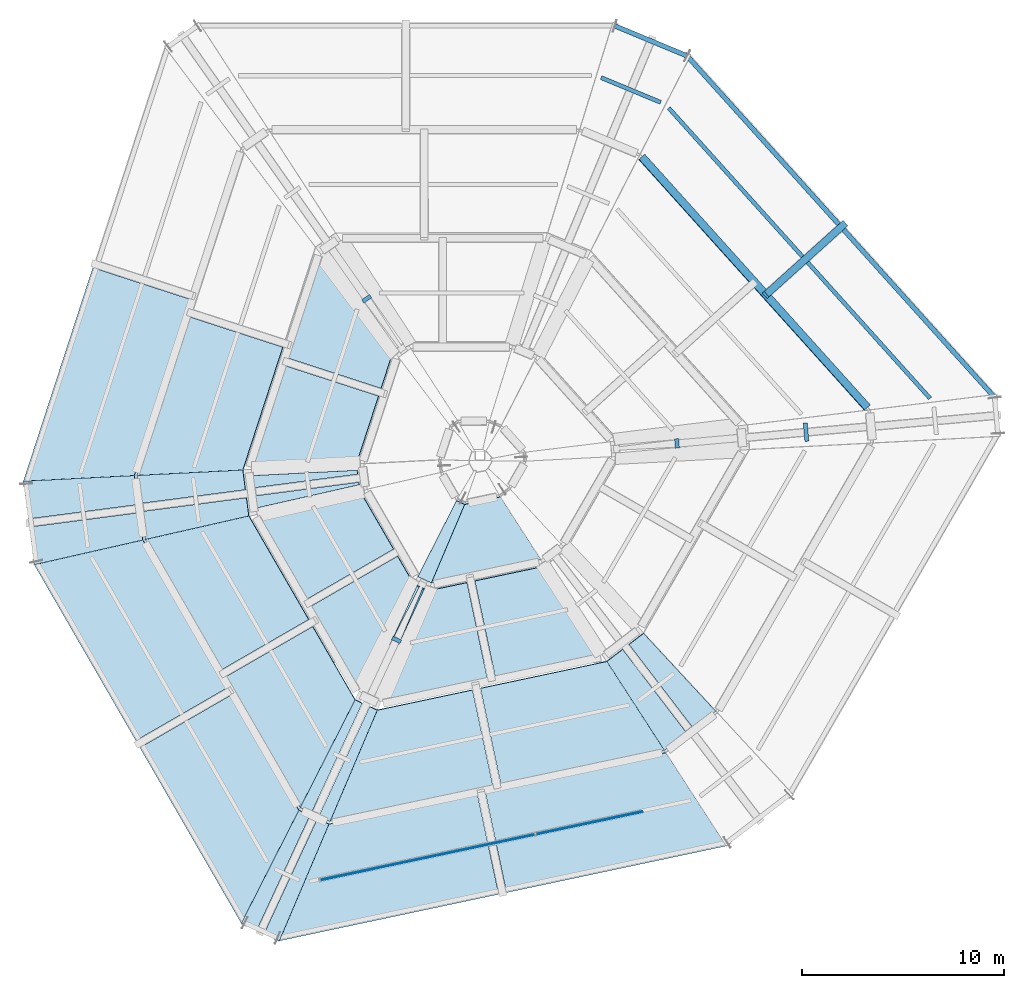
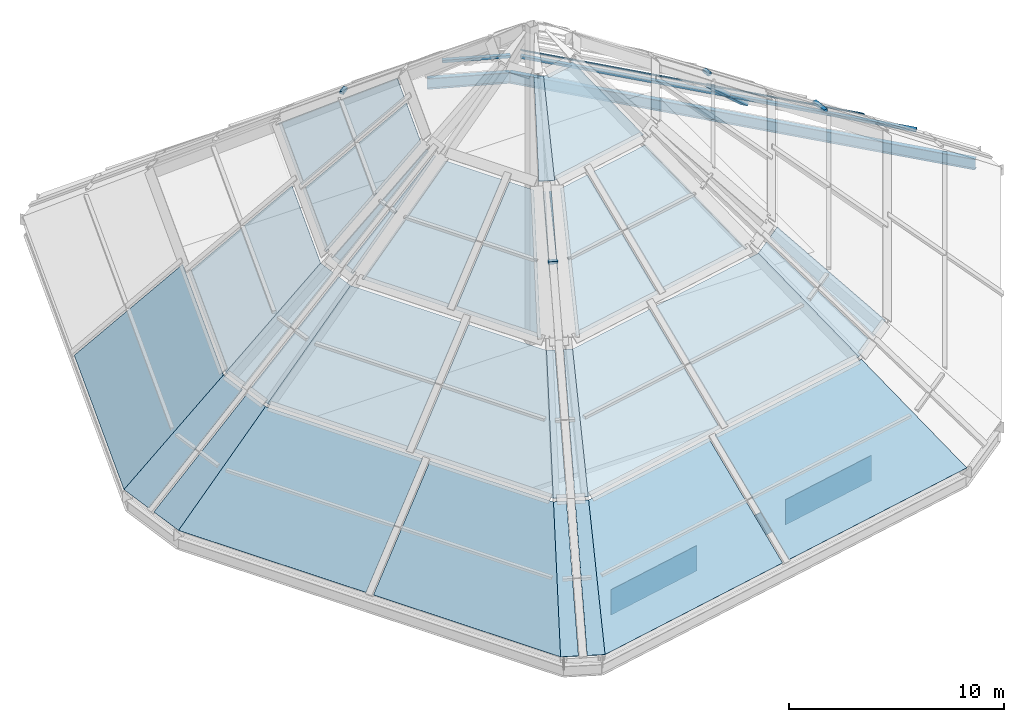
# One storey, part 4 of 10: 35 plates, 8 members, 2 beams, 11 elements without a shape of their own.
"""IFC4 building model written with IfcOpenShell, lengths in metres."""

from ifc_helpers import new_model, si_unit, direction, frame, origin, origin_2d, place, context, subcontext, project, spatial, polyline, rectangle, i_section, outline, extrude, material, layer, layer_set, material_profile, profile_set, type_object, element, aggregate, save


model = new_model("IFC4")

# Units and contexts
model_context = context("Model", 3, precision=1e-05, world=origin(), true_north=direction((0.0, 1.0)))
body_context = subcontext(model_context, "Body", "Model", "MODEL_VIEW")
ifc_project = project(units=[si_unit("LENGTHUNIT", "METRE"), si_unit("AREAUNIT", "SQUARE_METRE"), si_unit("VOLUMEUNIT", "CUBIC_METRE"), si_unit("PLANEANGLEUNIT", "RADIAN"), si_unit("MASSUNIT", "GRAM", prefix="KILO")], contexts=[model_context])

# Site, building, storey
site_placement = place(None, origin())
site = spatial("IfcSite", under=ifc_project, at=site_placement, CompositionType="ELEMENT")
building_placement = place(site_placement, origin())
building = spatial("IfcBuilding", under=site, at=building_placement, Name="Isthmus Gate Tower", CompositionType="ELEMENT")
storey_placement = place(building_placement, frame((0.0, 0.0, 315.60009765625)))
storey = spatial("IfcBuildingStorey", under=building, at=storey_placement, Name="C4", CompositionType="ELEMENT", Elevation=315.60009765625)

# Beams
ifc_material_1 = material(Name="Structural steel ASTM A992 Gr 50", Category="steel")
ifc_material_profile_1 = material_profile(ifc_material_1, i_section(OverallWidth=0.231689453125, OverallDepth=0.615966796875, WebThickness=0.0126953125, FlangeThickness=0.022216796875, at=origin_2d()), Name="W24X94")
ifc_profile_set_1 = profile_set([ifc_material_profile_1], Name="Structural steel ASTM A992 Gr 50")
beam_type = type_object("IfcBeamType", Name="CROWN RING BEAM W24X94", PredefinedType="BEAM", material=ifc_profile_set_1)
beam_1_placement = place(storey_placement, frame((25.445068359375, 3.120361328125, -0.55810546875), z_axis=(-0.669127890755, 0.743147270609, 0.0), x_axis=(-0.743147270609, -0.669127890755, 0.0)))
element("IfcBeam", 1, at=beam_1_placement, inside=storey, type_object=beam_type, Name="str-crownring-C4-10", PredefinedType="BEAM", context=body_context, shape_type="SweptSolid", body=[
    extrude(i_section(OverallWidth=0.231689453125, OverallDepth=0.615966796875, WebThickness=0.0126953125, FlangeThickness=0.022216796875, at=origin_2d()), origin(), (0.0, 0.0, 1.0), 22.732177734375),
])
beam_2_placement = place(storey_placement, frame((10.234375, 20.013671875, -0.55810546875), z_axis=(-0.923354696389, 0.383948049424, 0.0), x_axis=(-0.383948049424, -0.923354696389, 0.0)))
element("IfcBeam", 2, at=beam_2_placement, inside=storey, type_object=beam_type, Name="str-crownring-C4-11", PredefinedType="BEAM", context=body_context, shape_type="SweptSolid", body=[
    extrude(i_section(OverallWidth=0.231689453125, OverallDepth=0.615966796875, WebThickness=0.0126953125, FlangeThickness=0.022216796875, at=origin_2d()), origin(), (0.0, 0.0, 1.0), 3.87109375),
])

# Curtain wall, members
ifc_material_2 = material(Name="Aluminium, white powder-coated", Category="aluminium")
ifc_layer_1 = layer(ifc_material_2, 0.199951171875)
ifc_layer_set_1 = layer_set([ifc_layer_1], Name="CW-5 CROWN FACET CURTAIN WALL 200 DEEP")
curtain_wall_type_1 = type_object("IfcCurtainWallType", Name="CW-5 CROWN FACET CURTAIN WALL 200 DEEP", PredefinedType="NOTDEFINED", material=ifc_layer_set_1)
curtain_wall_1_placement = place(storey_placement, origin())
curtain_wall_1 = element("IfcCurtainWall", 3, at=curtain_wall_1_placement, inside=storey, type_object=curtain_wall_type_1, Name="CW-5 facet 11", PredefinedType="NOTDEFINED")
ifc_material_3 = material(Name="Aluminium, white powder-coated", Category="aluminium")
ifc_material_profile_2 = material_profile(ifc_material_3, rectangle(XDim=0.360107421875, YDim=0.199951171875, at=origin_2d()), Name="360x200")
ifc_profile_set_2 = profile_set([ifc_material_profile_2], Name="Aluminium, white powder-coated")
member_type_1 = type_object("IfcMemberType", Name="CW-5 RIB MULLION 360 X 200", PredefinedType="MULLION", material=ifc_profile_set_2)
member_1_placement = place(storey_placement, frame((18.01904296875, 11.703369140625, 0.240234375), z_axis=(-0.564309116031, -0.507885266236, 0.650851579014), x_axis=(0.668969870603, -0.743289521133, 0.0)))
member_1 = element("IfcMember", 4, at=member_1_placement, type_object=member_type_1, Name="CW-5 rib mullion", PredefinedType="MULLION", context=body_context, shape_type="SweptSolid", body=[
    extrude(rectangle(XDim=0.360107421875, YDim=0.199951171875, at=origin_2d()), origin(), (0.0, 0.0, 1.0), 6.914306640625),
])
ifc_material_4 = material(Name="Aluminium, white powder-coated", Category="aluminium")
ifc_material_profile_3 = material_profile(ifc_material_4, rectangle(XDim=0.5, YDim=0.0400390625, at=origin_2d()), Name="500x40")
ifc_profile_set_3 = profile_set([ifc_material_profile_3], Name="Aluminium, white powder-coated")
member_type_2 = type_object("IfcMemberType", Name="CW-5 STAGE CAP 500 X 40", PredefinedType="USERDEFINED", material=ifc_profile_set_3)
member_2_placement = place(storey_placement, frame((19.144287109375, 2.624755859375, 4.75732421875), z_axis=(-0.668936395453, 0.743319615361, -0.000219678736), x_axis=(-0.564436338109, -0.507761434563, 0.650837879807)))
member_2 = element("IfcMember", 5, at=member_2_placement, type_object=member_type_2, Name="CW-5 stage cap", ObjectType="CAP BAR", PredefinedType="USERDEFINED", context=body_context, shape_type="SweptSolid", body=[
    extrude(rectangle(XDim=0.5, YDim=0.0400390625, at=origin_2d()), origin(), (0.0, 0.0, 1.0), 16.67041015625),
])

# Curtain wall, member
curtain_wall_2_placement = place(storey_placement, origin())
curtain_wall_2 = element("IfcCurtainWall", 6, at=curtain_wall_2_placement, inside=storey, type_object=curtain_wall_type_1, Name="CW-5 facet 2", PredefinedType="NOTDEFINED")
ifc_material_5 = material(Name="Aluminium, white powder-coated", Category="aluminium")
ifc_material_profile_4 = material_profile(ifc_material_5, rectangle(XDim=0.199951171875, YDim=0.14990234375, at=origin_2d()), Name="200x150")
ifc_profile_set_4 = profile_set([ifc_material_profile_4], Name="Aluminium, white powder-coated")
member_type_3 = type_object("IfcMemberType", Name="CW-5 TRANSOM 200 X 150", PredefinedType="USERDEFINED", material=ifc_profile_set_4)
placement_1 = place(building_placement, frame((0.0, 0.0, 324.60009765625)))
member_3_placement = place(placement_1, frame((-5.41650390625, 8.138916015625, 2.492431640625), z_axis=(-0.818171592601, -0.574973886664, -0.000524132987), x_axis=(0.574973965641, -0.818171704983, 0.0)))
member_3 = element("IfcMember", 7, at=member_3_placement, type_object=member_type_3, Name="CW-5 transom", ObjectType="TRANSOM", PredefinedType="USERDEFINED", context=body_context, shape_type="SweptSolid", body=[
    extrude(rectangle(XDim=0.199951171875, YDim=0.14990234375, at=origin_2d()), origin(), (0.0, 0.0, 1.0), 0.4658203125),
])
aggregate(curtain_wall_2, [member_3])

curtain_wall_3_placement = place(storey_placement, origin())
curtain_wall_3 = element("IfcCurtainWall", 8, at=curtain_wall_3_placement, inside=storey, type_object=curtain_wall_type_1, Name="CW-5 facet 6", PredefinedType="NOTDEFINED")
member_4_placement = place(placement_1, frame((-4.34033203125, -8.76025390625, 2.492431640625), z_axis=(0.906944508145, -0.421249788878, -0.000523942523), x_axis=(0.421249846698, 0.90694463263, 0.0)))
member_4 = element("IfcMember", 9, at=member_4_placement, type_object=member_type_3, Name="CW-5 transom", ObjectType="TRANSOM", PredefinedType="USERDEFINED", context=body_context, shape_type="SweptSolid", body=[
    extrude(rectangle(XDim=0.199951171875, YDim=0.14990234375, at=origin_2d()), origin(), (0.0, 0.0, 1.0), 0.466064453125),
])

# Curtain wall, members
curtain_wall_4_placement = place(storey_placement, origin())
curtain_wall_4 = element("IfcCurtainWall", 10, at=curtain_wall_4_placement, inside=storey, type_object=curtain_wall_type_1, Name="CW-5 facet 10", PredefinedType="NOTDEFINED")
placement_2 = place(building_placement, frame((0.0, 0.0, 320.10009765625)))
member_5_placement = place(placement_2, frame((16.15771484375, 0.95849609375, 2.492431640625), z_axis=(-0.089012681459, 0.996030456691, -0.000268110486), x_axis=(-0.99603049249, -0.089012684659, 0.0)))
member_5 = element("IfcMember", 11, at=member_5_placement, type_object=member_type_3, Name="CW-5 transom", ObjectType="TRANSOM", PredefinedType="USERDEFINED", context=body_context, shape_type="SweptSolid", body=[
    extrude(rectangle(XDim=0.199951171875, YDim=0.14990234375, at=origin_2d()), origin(), (0.0, 0.0, 1.0), 0.91064453125),
])
member_6_placement = place(placement_1, frame((9.7568359375, 0.621337890625, 2.492431640625), z_axis=(-0.089071158151, 0.996025127326, -0.000523947989), x_axis=(-0.996025264041, -0.089071170377, 0.0)))
member_6 = element("IfcMember", 12, at=member_6_placement, type_object=member_type_3, Name="CW-5 transom", ObjectType="TRANSOM", PredefinedType="USERDEFINED", context=body_context, shape_type="SweptSolid", body=[
    extrude(rectangle(XDim=0.199951171875, YDim=0.14990234375, at=origin_2d()), origin(), (0.0, 0.0, 1.0), 0.466064453125),
])
aggregate(curtain_wall_4, [member_5, member_6])

# Member
member_7_placement = place(storey_placement, frame((22.248291015625, 3.08056640625, 2.4921875), z_axis=(-0.668967511811, 0.743291616544, -0.000202276863), x_axis=(-0.74329163175, -0.668967525497, 0.0)))
member_7 = element("IfcMember", 13, at=member_7_placement, type_object=member_type_3, Name="CW-5 transom", ObjectType="TRANSOM", PredefinedType="USERDEFINED", context=body_context, shape_type="SweptSolid", body=[
    extrude(rectangle(XDim=0.199951171875, YDim=0.14990234375, at=origin_2d()), origin(), (0.0, 0.0, 1.0), 19.3115234375),
])

aggregate(curtain_wall_1, [member_2, member_1, member_7])

# Curtain wall, member
curtain_wall_5_placement = place(storey_placement, origin())
curtain_wall_5 = element("IfcCurtainWall", 14, at=curtain_wall_5_placement, inside=storey, type_object=curtain_wall_type_1, Name="CW-5 facet 12", PredefinedType="NOTDEFINED")
member_8_placement = place(storey_placement, frame((8.931396484375, 17.71630859375, 2.48828125), z_axis=(-0.923519973624, 0.383550058651, 0.000459158091), x_axis=(-0.383550099082, -0.923520070975, 0.0)))
member_8 = element("IfcMember", 15, at=member_8_placement, type_object=member_type_3, Name="CW-5 transom", ObjectType="TRANSOM", PredefinedType="USERDEFINED", context=body_context, shape_type="SweptSolid", body=[
    extrude(rectangle(XDim=0.199951171875, YDim=0.14990234375, at=origin_2d()), origin(), (0.0, 0.0, 1.0), 3.190185546875),
])
aggregate(curtain_wall_5, [member_8])

# Curtain wall, plates
ifc_material_6 = material(Name="Aluminium, pale champagne anodised", Category="aluminium")
ifc_layer_2 = layer(ifc_material_6, 0.199951171875)
ifc_layer_set_2 = layer_set([ifc_layer_2], Name="CW-4 ATRIUM CURTAIN WALL 200 DEEP")
curtain_wall_type_2 = type_object("IfcCurtainWallType", Name="CW-4 ATRIUM CURTAIN WALL 200 DEEP", PredefinedType="NOTDEFINED", material=ifc_layer_set_2)
curtain_wall_6_placement = place(storey_placement, origin())
curtain_wall_6 = element("IfcCurtainWall", 16, at=curtain_wall_6_placement, inside=storey, type_object=curtain_wall_type_2, Name="CW-4 atrium south C4", PredefinedType="NOTDEFINED")
ifc_material_7 = material(Name="Laminated low-iron glass, clear", Category="glass")
ifc_layer_3 = layer(ifc_material_7, 0.0439453125)
ifc_layer_set_3 = layer_set([ifc_layer_3], Name="CW-4 ATRIUM GLASS PANEL 44")
plate_type_1 = type_object("IfcPlateType", Name="CW-4 ATRIUM GLASS PANEL 44", PredefinedType="CURTAIN_PANEL", material=ifc_layer_set_3)
plate_1_placement = place(storey_placement, frame((-5.262939453125, -20.1826171875, -0.000244140625), z_axis=(0.0, 0.0, 1.0), x_axis=(0.978147600734, 0.207911690818, 0.0)))
plate_1 = element("IfcPlate", 17, at=plate_1_placement, type_object=plate_type_1, Name="CW-4 louvre panel", PredefinedType="CURTAIN_PANEL", context=body_context, shape_type="SweptSolid", body=[
    extrude(rectangle(XDim=5.37255859375, YDim=0.0439453125, at=origin_2d()), origin(), (0.0, 0.0, 1.0), 1.43603515625),
])
plate_2_placement = place(storey_placement, frame((0.03125, -19.057373046875, -0.000244140625), z_axis=(0.0, 0.0, 1.0), x_axis=(0.978147600734, 0.207911690818, 0.0)))
plate_2 = element("IfcPlate", 18, at=plate_2_placement, type_object=plate_type_1, Name="CW-4 louvre panel", PredefinedType="CURTAIN_PANEL", context=body_context, shape_type="SweptSolid", body=[
    extrude(rectangle(XDim=5.452392578125, YDim=0.0439453125, at=origin_2d()), origin(), (0.0, 0.0, 1.0), 1.43603515625),
])
plate_3_placement = place(storey_placement, frame((5.403564453125, -17.91552734375, -0.000244140625), z_axis=(0.0, 0.0, 1.0), x_axis=(0.978147600734, 0.207911690818, 0.0)))
plate_3 = element("IfcPlate", 19, at=plate_3_placement, type_object=plate_type_1, Name="CW-4 louvre panel", PredefinedType="CURTAIN_PANEL", context=body_context, shape_type="SweptSolid", body=[
    extrude(rectangle(XDim=5.37255859375, YDim=0.0439453125, at=origin_2d()), origin(), (0.0, 0.0, 1.0), 1.43603515625),
])
aggregate(curtain_wall_6, [plate_1, plate_2, plate_3])

curtain_wall_7_placement = place(storey_placement, origin())
curtain_wall_7 = element("IfcCurtainWall", 20, at=curtain_wall_7_placement, inside=storey, type_object=curtain_wall_type_1, Name="CW-5 facet 3", PredefinedType="NOTDEFINED")
ifc_material_8 = material(Name="Laminated glass, pale blue tint with white frit", Category="glass")
ifc_layer_4 = layer(ifc_material_8, 0.035888671875)
ifc_layer_set_4 = layer_set([ifc_layer_4], Name="CW-5 GLASS LITE 36")
plate_type_2 = type_object("IfcPlateType", Name="CW-5 GLASS LITE 36", PredefinedType="CURTAIN_PANEL", material=ifc_layer_set_4)
plate_4_placement = place(storey_placement, frame((-19.1513671875, 9.544921875, 0.290283203125), z_axis=(-0.618993083089, 0.201119579567, 0.759209113356), x_axis=(-0.3091998909, -0.950997055114, -0.000169210119)))
plate_4 = element("IfcPlate", 21, at=plate_4_placement, type_object=plate_type_2, Name="CW-5 glass lite", PredefinedType="CURTAIN_PANEL", context=body_context, shape_type="SweptSolid", body=[
    extrude(outline(polyline([(0.0, 0.0), (11.1041762796156, 5.345116710353537e-16), (9.14083954869562, 6.76002465053957), (-0.000673934898059152, 6.760762880263261), (0.0, 0.0)])), origin(), (0.0, 0.0, -1.0), 0.035888671875),
])
plate_5_placement = place(placement_2, frame((-14.4169921875, 7.12841796875, 0.290283203125), z_axis=(-0.618980678178, 0.201107964778, 0.759222303772), x_axis=(-0.309267279906, -0.950975127036, -0.000239453321)))
plate_5 = element("IfcPlate", 22, at=plate_5_placement, type_object=plate_type_2, Name="CW-5 glass lite", PredefinedType="CURTAIN_PANEL", context=body_context, shape_type="SweptSolid", body=[
    extrude(outline(polyline([(0.0, 0.0), (8.262753173355721, 1.6675029412827058e-16), (6.387954861098319, 6.452559044034228), (-0.0009235787201528661, 6.45354548818613), (0.0, 0.0)])), origin(), (0.0, 0.0, -1.0), 0.035888671875),
])
plate_6_placement = place(placement_1, frame((-7.980224609375, 9.944580078125, 0.2919921875), z_axis=(-0.618966498824, 0.201129650908, 0.759228119118), x_axis=(-0.309413340945, -0.950927584034, -0.000338184679)))
plate_6 = element("IfcPlate", 23, at=plate_6_placement, type_object=plate_type_2, Name="CW-5 glass lite", PredefinedType="CURTAIN_PANEL", context=body_context, shape_type="SweptSolid", body=[
    extrude(outline(polyline([(0.0, 0.0), (5.102701214808597, -1.0018028073766061e-16), (5.10123119629622, 6.454052563971716), (3.4283358291746637, 6.455033296146816), (0.0, 0.0)])), origin(), (0.0, 0.0, -1.0), 0.035888671875),
])
plate_7_placement = place(placement_1, frame((-9.6826171875, 4.7119140625, 0.290283203125), z_axis=(-0.618990876283, 0.201123112897, 0.759209976579), x_axis=(-0.309432776674, -0.950921246456, -0.000373841738)))
plate_7 = element("IfcPlate", 24, at=plate_7_placement, type_object=plate_type_2, Name="CW-5 glass lite", PredefinedType="CURTAIN_PANEL", context=body_context, shape_type="SweptSolid", body=[
    extrude(outline(polyline([(0.0, 0.0), (5.121461955184789, -9.69276742202041e-17), (3.24524658605583, 6.452306070901811), (-0.001644421247286315, 6.453876260384665), (0.0, 0.0)])), origin(), (0.0, 0.0, -1.0), 0.035888671875),
])
aggregate(curtain_wall_7, [plate_4, plate_5, plate_6, plate_7])

curtain_wall_8_placement = place(storey_placement, origin())
curtain_wall_8 = element("IfcCurtainWall", 25, at=curtain_wall_8_placement, inside=storey, type_object=curtain_wall_type_1, Name="CW-5 facet 4", PredefinedType="NOTDEFINED")
plate_8_placement = place(storey_placement, frame((-22.584716796875, -1.01513671875, 0.288330078125), z_axis=(-0.620991855517, -0.080916354709, 0.779629180394), x_axis=(0.129618251948, -0.991563915806, 0.000331107743)))
plate_8 = element("IfcPlate", 26, at=plate_8_placement, type_object=plate_type_2, Name="CW-5 glass lite", PredefinedType="CURTAIN_PANEL", context=body_context, shape_type="SweptSolid", body=[
    extrude(outline(polyline([(0.0, 0.0), (1.8823231844141384, -2.710505431213761e-18), (1.884090222948141, 7.026062574687231), (0.4355606250708594, 7.025874417231663), (0.0, 0.0)])), origin(), (0.0, 0.0, -1.0), 0.035888671875),
])
plate_9_placement = place(storey_placement, frame((-22.2890625, -3.278076171875, 0.2890625), z_axis=(-0.620995958108, -0.080857565733, 0.779632011963), x_axis=(0.12948198433, -0.991581730377, 0.000296170462)))
plate_9 = element("IfcPlate", 27, at=plate_9_placement, type_object=plate_type_2, Name="CW-5 glass lite", PredefinedType="CURTAIN_PANEL", context=body_context, shape_type="SweptSolid", body=[
    extrude(outline(polyline([(0.0, 0.0), (1.8813231480740464, -5.095750210681871e-18), (1.3698372542074795, 7.026450249111178), (0.0011026032592730117, 7.026038054274042), (0.0, 0.0)])), origin(), (0.0, 0.0, -1.0), 0.035888671875),
])
plate_10_placement = place(placement_2, frame((-16.972412109375, -0.729248046875, 0.288330078125), z_axis=(-0.620997209202, -0.080784022639, 0.779638639274), x_axis=(0.129695905101, -0.991553657142, 0.000563212242)))
plate_10 = element("IfcPlate", 28, at=plate_10_placement, type_object=plate_type_2, Name="CW-5 glass lite", PredefinedType="CURTAIN_PANEL", context=body_context, shape_type="SweptSolid", body=[
    extrude(outline(polyline([(0.0, 0.0), (1.398290763192658, 2.3960868011929648e-17), (1.4008216897131762, 6.706639070984327), (0.41715725897892325, 6.706442182394191), (0.0, 0.0)])), origin(), (0.0, 0.0, -1.0), 0.035888671875),
])
plate_11_placement = place(placement_2, frame((-16.7392578125, -2.512451171875, 0.2890625), z_axis=(-0.621003429372, -0.080806218669, 0.779631384523), x_axis=(0.129574898638, -0.991569540581, 0.000437990696)))
plate_11 = element("IfcPlate", 29, at=plate_11_placement, type_object=plate_type_2, Name="CW-5 glass lite", PredefinedType="CURTAIN_PANEL", context=body_context, shape_type="SweptSolid", body=[
    extrude(outline(polyline([(0.0, 0.0), (1.3972906722571656, 2.970713952610282e-17), (0.9102044498115646, 6.7071645162450775), (0.0013985014968639865, 6.7068281360214135), (0.0, 0.0)])), origin(), (0.0, 0.0, -1.0), 0.035888671875),
])
plate_12_placement = place(placement_1, frame((-11.321044921875, -0.740966796875, 0.28857421875), z_axis=(-0.620989250317, -0.080888151215, 0.779634182155), x_axis=(0.130027663268, -0.991510120607, 0.000698225628)))
plate_12 = element("IfcPlate", 30, at=plate_12_placement, type_object=plate_type_2, Name="CW-5 glass lite", PredefinedType="CURTAIN_PANEL", context=body_context, shape_type="SweptSolid", body=[
    extrude(outline(polyline([(0.0, 0.0), (0.6143403792124675, 1.1384122811097797e-18), (0.6179775562412325, 6.706762073854463), (0.41944202369889544, 6.706108977459557), (0.0, 0.0)])), origin(), (0.0, 0.0, -1.0), 0.035888671875),
])
plate_13_placement = place(placement_1, frame((-11.189453125, -1.74658203125, 0.2890625), z_axis=(-0.620988345802, -0.080850093086, 0.779638850254), x_axis=(0.130098234446, -0.991500783429, 0.000803650005)))
plate_13 = element("IfcPlate", 31, at=plate_13_placement, type_object=plate_type_2, Name="CW-5 glass lite", PredefinedType="CURTAIN_PANEL", context=body_context, shape_type="SweptSolid", body=[
    extrude(outline(polyline([(0.0, 0.0), (0.6136141802415529, -2.9815559743351372e-18), (0.13058176387520762, 6.707347116705357), (0.00469424292571973, 6.706736697794758), (0.0, 0.0)])), origin(), (0.0, 0.0, -1.0), 0.035888671875),
])
aggregate(curtain_wall_8, [plate_8, plate_9, plate_10, plate_11, plate_12, plate_13])

curtain_wall_9_placement = place(storey_placement, origin())
curtain_wall_9 = element("IfcCurtainWall", 32, at=curtain_wall_9_placement, inside=storey, type_object=curtain_wall_type_1, Name="CW-5 facet 5", PredefinedType="NOTDEFINED")
plate_14_placement = place(storey_placement, frame((-22.04541015625, -5.1435546875, 0.28955078125), z_axis=(-0.55594125905, -0.320958894655, 0.766755961456), x_axis=(0.500127229324, -0.865951924322, 0.000138752232)))
plate_14 = element("IfcPlate", 33, at=plate_14_placement, type_object=plate_type_2, Name="CW-5 glass lite", PredefinedType="CURTAIN_PANEL", context=body_context, shape_type="SweptSolid", body=[
    extrude(outline(polyline([(0.0, 0.0), (10.046374532051281, -6.554002132674874e-16), (10.046903870763169, 6.854575670788057), (1.6294991825719582, 6.854002723673368), (0.0, 0.0)])), origin(), (0.0, 0.0, -1.0), 0.035888671875),
])
plate_15_placement = place(storey_placement, frame((-16.82080078125, -14.189453125, 0.291015625), z_axis=(-0.555944826598, -0.32096623015, 0.766750304129), x_axis=(0.500136149334, -0.865946772111, 0.000141420044)))
plate_15 = element("IfcPlate", 34, at=plate_15_placement, type_object=plate_type_2, Name="CW-5 glass lite", PredefinedType="CURTAIN_PANEL", context=body_context, shape_type="SweptSolid", body=[
    extrude(outline(polyline([(0.0, 0.0), (10.02614656482134, -1.4406878467987383e-15), (6.612874181233284, 6.854837971209336), (0.0006845275031220037, 6.854319932436212), (0.0, 0.0)])), origin(), (0.0, 0.0, -1.0), 0.035888671875),
])
plate_16_placement = place(placement_2, frame((-16.55810546875, -3.89794921875, 0.28955078125), z_axis=(-0.555937612945, -0.320979108959, 0.766750143218), x_axis=(0.500198958372, -0.865910485322, 0.000182900387)))
plate_16 = element("IfcPlate", 35, at=plate_16_placement, type_object=plate_type_2, Name="CW-5 glass lite", PredefinedType="CURTAIN_PANEL", context=body_context, shape_type="SweptSolid", body=[
    extrude(outline(polyline([(0.0, 0.0), (7.467875045220791, -1.5547459153442134e-16), (7.468605759307535, 6.543068426767505), (1.5560841177646316, 6.542316949142448), (0.0, 0.0)])), origin(), (0.0, 0.0, -1.0), 0.035888671875),
])
plate_17_placement = place(placement_2, frame((-12.622802734375, -10.710693359375, 0.291015625), z_axis=(-0.55593712728, -0.320957055356, 0.766759727117), x_axis=(0.500182785035, -0.86591982582, 0.000191850396)))
plate_17 = element("IfcPlate", 36, at=plate_17_placement, type_object=plate_type_2, Name="CW-5 glass lite", PredefinedType="CURTAIN_PANEL", context=body_context, shape_type="SweptSolid", body=[
    extrude(outline(polyline([(0.0, 0.0), (7.447524971728625, 5.668208957754217e-16), (4.18977148919219, 6.543680605945598), (0.0008860110736268031, 6.542974775135384), (0.0, 0.0)])), origin(), (0.0, 0.0, -1.0), 0.035888671875),
])
plate_18_placement = place(placement_1, frame((-10.920654296875, -2.912353515625, 0.289794921875), z_axis=(-0.555920534509, -0.320983363628, 0.766760744682), x_axis=(0.500303027309, -0.865850338837, 0.000267583077)))
plate_18 = element("IfcPlate", 37, at=plate_18_placement, type_object=plate_type_2, Name="CW-5 glass lite", PredefinedType="CURTAIN_PANEL", context=body_context, shape_type="SweptSolid", body=[
    extrude(outline(polyline([(0.0, 0.0), (4.589005193190192, 1.684850176042474e-16), (4.590271917116344, 6.5434123561411965), (1.556831256110969, 6.542025840607932), (0.0, 0.0)])), origin(), (0.0, 0.0, -1.0), 0.035888671875),
])
plate_19_placement = place(placement_1, frame((-8.4248046875, -7.23193359375, 0.291015625), z_axis=(-0.555951869231, -0.320959152597, 0.766748160391), x_axis=(0.500273810091, -0.865867214125, 0.000287124968)))
plate_19 = element("IfcPlate", 38, at=plate_19_placement, type_object=plate_type_2, Name="CW-5 glass lite", PredefinedType="CURTAIN_PANEL", context=body_context, shape_type="SweptSolid", body=[
    extrude(outline(polyline([(0.0, 0.0), (4.568655106484701, 3.421742056364252e-16), (1.312040843432865, 6.544205441362321), (0.0011795247618025416, 6.543412371369644), (0.0, 0.0)])), origin(), (0.0, 0.0, -1.0), 0.035888671875),
])
aggregate(curtain_wall_9, [plate_14, plate_15, plate_16, plate_17, plate_18, plate_19])

# Plate
plate_20_placement = place(storey_placement, frame((-11.806396484375, -22.87158203125, 0.29248046875), z_axis=(-0.241579587642, -0.521618943561, 0.818262171039), x_axis=(0.90723215912, -0.420630150506, -0.00029316257)))
plate_20 = element("IfcPlate", 39, at=plate_20_placement, type_object=plate_type_2, Name="CW-5 glass lite", PredefinedType="CURTAIN_PANEL", context=body_context, shape_type="SweptSolid", body=[
    extrude(outline(polyline([(0.0, 0.0), (0.8363783912562912, 2.5885326868091418e-17), (0.83600624456215, 7.654067143558267), (0.22967009833704177, 7.654180793904411), (0.0, 0.0)])), origin(), (0.0, 0.0, -1.0), 0.035888671875),
])

plate_21_placement = place(storey_placement, frame((-10.684814453125, -23.391845703125, 0.292236328125), z_axis=(-0.241743367849, -0.521537662569, 0.818265611292), x_axis=(0.907147999567, -0.42081167122, -0.000210350814)))
plate_21 = element("IfcPlate", 40, at=plate_21_placement, type_object=plate_type_2, Name="CW-5 glass lite", PredefinedType="CURTAIN_PANEL", context=body_context, shape_type="SweptSolid", body=[
    extrude(outline(polyline([(0.0, 0.0), (0.8367025807867213, 7.806255641895632e-18), (0.6305327035151013, 7.654360951652844), (-0.0013636375348996823, 7.654248258865292), (0.0, 0.0)])), origin(), (0.0, 0.0, -1.0), 0.035888671875),
])

plate_22_placement = place(placement_2, frame((-8.897705078125, -17.15966796875, 0.29248046875), z_axis=(-0.241633215505, -0.521584930727, 0.818268017952), x_axis=(0.907152058713, -0.420802827835, -0.00034994024)))
plate_22 = element("IfcPlate", 41, at=plate_22_placement, type_object=plate_type_2, Name="CW-5 glass lite", PredefinedType="CURTAIN_PANEL", context=body_context, shape_type="SweptSolid", body=[
    extrude(outline(polyline([(0.0, 0.0), (0.6138729462194471, 1.3173056395698879e-17), (0.6125223421085155, 7.306285007736427), (0.21788074206709293, 7.306520485755684), (0.0, 0.0)])), origin(), (0.0, 0.0, -1.0), 0.035888671875),
])

plate_23_placement = place(placement_2, frame((-7.977783203125, -17.586181640625, 0.292236328125), z_axis=(-0.241737137036, -0.521552613893, 0.818257922369), x_axis=(0.907071516513, -0.420976412213, -0.000352549826)))
plate_23 = element("IfcPlate", 42, at=plate_23_placement, type_object=plate_type_2, Name="CW-5 glass lite", PredefinedType="CURTAIN_PANEL", context=body_context, shape_type="SweptSolid", body=[
    extrude(outline(polyline([(0.0, 0.0), (0.6141971615638862, -3.800128614561693e-17), (0.4157349052641066, 7.306409175123772), (-0.0027270579641715947, 7.306200559085559), (0.0, 0.0)])), origin(), (0.0, 0.0, -1.0), 0.035888671875),
])

plate_24_placement = place(placement_1, frame((-5.716796875, -11.573974609375, 0.292236328125), z_axis=(-0.243205392472, -0.520840096851, 0.818276683393), x_axis=(0.906606292149, -0.421976634297, 0.000866684874)))
plate_24 = element("IfcPlate", 43, at=plate_24_placement, type_object=plate_type_2, Name="CW-5 glass lite", PredefinedType="CURTAIN_PANEL", context=body_context, shape_type="SweptSolid", body=[
    extrude(outline(polyline([(0.0, 0.0), (0.09153282410881071, 3.469446951953614e-18), (0.08777429689062867, 7.30636823703113), (0.21525113577605007, 7.306738765275263), (0.0, 0.0)])), origin(), (0.0, 0.0, -1.0), 0.035888671875),
])

plate_25_placement = place(placement_1, frame((-5.27099609375, -11.78076171875, 0.292236328125), z_axis=(-0.239502162652, -0.522550173059, 0.818278699907), x_axis=(0.907906807623, -0.419167569025, -0.00194364319)))
plate_25 = element("IfcPlate", 44, at=plate_25_placement, type_object=plate_type_2, Name="CW-5 glass lite", PredefinedType="CURTAIN_PANEL", context=body_context, shape_type="SweptSolid", body=[
    extrude(outline(polyline([(0.0, 0.0), (0.0917540764906036, -3.469446951953614e-18), (-0.10137601293410574, 7.3062277447668365), (0.0032689847685267327, 7.306271333057126), (0.0, 0.0)])), origin(), (0.0, 0.0, -1.0), 0.035888671875),
])

placement_3 = place(building_placement, frame((0.0, 0.0, 329.10009765625)))
plate_26_placement = place(placement_3, frame((-3.080322265625, -5.735595703125, 0.29248046875), z_axis=(-0.241676377022, -0.521580595508, 0.818258034595), x_axis=(0.906945241015, -0.421248043447, -0.000644742037)))
plate_26 = element("IfcPlate", 45, at=plate_26_placement, type_object=plate_type_2, Name="CW-5 glass lite", PredefinedType="CURTAIN_PANEL", context=body_context, shape_type="SweptSolid", body=[
    extrude(outline(polyline([(0.0, 0.0), (0.7383843000341144, 3.4640259410911867e-17), (0.5964767016695224, 5.149339063476975), (0.150714565616387, 5.14928505448239), (0.0, 0.0)])), origin(), (0.0, 0.0, -1.0), 0.035888671875),
])

aggregate(curtain_wall_3, [plate_20, plate_21, plate_22, plate_23, member_4, plate_24, plate_25, plate_26])

# Curtain wall, plates
curtain_wall_10_placement = place(storey_placement, origin())
curtain_wall_10 = element("IfcCurtainWall", 46, at=curtain_wall_10_placement, inside=storey, type_object=curtain_wall_type_1, Name="CW-5 facet 7", PredefinedType="NOTDEFINED")
plate_27_placement = place(storey_placement, frame((-9.92578125, -23.743896484375, 0.2919921875), z_axis=(0.135310836004, -0.636617168906, 0.759216410461), x_axis=(0.97818780094, 0.207722413843, -0.000157733808)))
plate_27 = element("IfcPlate", 47, at=plate_27_placement, type_object=plate_type_2, Name="CW-5 glass lite", PredefinedType="CURTAIN_PANEL", context=body_context, shape_type="SweptSolid", body=[
    extrude(outline(polyline([(0.0, 0.0), (11.08579259420003, -8.174884380540703e-17), (11.08516520161559, 6.76079818546099), (3.5934973437172033, 6.761547488658978), (0.0, 0.0)])), origin(), (0.0, 0.0, -1.0), 0.035888671875),
])
plate_28_placement = place(storey_placement, frame((1.3095703125, -21.35791015625, 0.290283203125), z_axis=(0.135316528612, -0.636625102747, 0.759208743125), x_axis=(0.978188763149, 0.207717875497, -0.000166876274)))
plate_28 = element("IfcPlate", 48, at=plate_28_placement, type_object=plate_type_2, Name="CW-5 glass lite", PredefinedType="CURTAIN_PANEL", context=body_context, shape_type="SweptSolid", body=[
    extrude(outline(polyline([(0.0, 0.0), (11.104276387689453, 2.5240226575462543e-16), (9.140935967126023, 6.759987405603896), (-0.00069143366194516, 6.760798178130917), (0.0, 0.0)])), origin(), (0.0, 0.0, -1.0), 0.035888671875),
])
plate_29_placement = place(placement_2, frame((-7.420654296875, -17.8447265625, 0.2919921875), z_axis=(0.135314218796, -0.636618418656, 0.759214759617), x_axis=(0.978201093054, 0.207659756829, -0.000216659014)))
plate_29 = element("IfcPlate", 49, at=plate_29_placement, type_object=plate_type_2, Name="CW-5 glass lite", PredefinedType="CURTAIN_PANEL", context=body_context, shape_type="SweptSolid", body=[
    extrude(outline(polyline([(0.0, 0.0), (8.244152889957787, -2.3006770100142404e-16), (8.243392389379675, 6.453615881712431), (3.42960139221455, 6.454520631528794), (0.0, 0.0)])), origin(), (0.0, 0.0, -1.0), 0.035888671875),
])
plate_30_placement = place(placement_2, frame((1.03515625, -16.049560546875, 0.290283203125), z_axis=(0.135325317796, -0.636619056396, 0.759212246606), x_axis=(0.978202349244, 0.207653818271, -0.000235989258)))
plate_30 = element("IfcPlate", 50, at=plate_30_placement, type_object=plate_type_2, Name="CW-5 glass lite", PredefinedType="CURTAIN_PANEL", context=body_context, shape_type="SweptSolid", body=[
    extrude(outline(polyline([(0.0, 0.0), (8.262875512486536, 2.645453300864631e-16), (6.387938209768203, 6.452408713914952), (-0.001160948332471633, 6.45347299809302), (0.0, 0.0)])), origin(), (0.0, 0.0, -1.0), 0.035888671875),
])
plate_31_placement = place(placement_1, frame((-4.6220703125, -11.88330078125, 0.2919921875), z_axis=(0.135278094903, -0.636609823767, 0.759228403923), x_axis=(0.978236924374, 0.207490763748, -0.000320547742)))
plate_31 = element("IfcPlate", 51, at=plate_31_placement, type_object=plate_type_2, Name="CW-5 glass lite", PredefinedType="CURTAIN_PANEL", context=body_context, shape_type="SweptSolid", body=[
    extrude(outline(polyline([(0.0, 0.0), (5.102764121571554, -1.1275702593849246e-17), (5.101010243109301, 6.453917421153623), (3.4280796164648453, 6.455081719988405), (0.0, 0.0)])), origin(), (0.0, 0.0, -1.0), 0.035888671875),
])
plate_32_placement = place(placement_1, frame((0.7607421875, -10.741455078125, 0.290283203125), z_axis=(0.135317321312, -0.636614380448, 0.759217592762), x_axis=(0.97823492889, 0.207500103854, -0.000361661974)))
plate_32 = element("IfcPlate", 52, at=plate_32_placement, type_object=plate_type_2, Name="CW-5 glass lite", PredefinedType="CURTAIN_PANEL", context=body_context, shape_type="SweptSolid", body=[
    extrude(outline(polyline([(0.0, 0.0), (5.12124794585038, -4.0549161250957866e-17), (3.245302579768691, 6.452333380602231), (-0.0015902915117320985, 6.454060314798805), (0.0, 0.0)])), origin(), (0.0, 0.0, -1.0), 0.035888671875),
])
plate_33_placement = place(placement_3, frame((-2.41064453125, -6.046630859375, 0.2919921875), z_axis=(0.135325307347, -0.636611677717, 0.75921843562), x_axis=(0.978309835214, 0.207145841635, -0.000683093734)))
plate_33 = element("IfcPlate", 53, at=plate_33_placement, type_object=plate_type_2, Name="CW-5 glass lite", PredefinedType="CURTAIN_PANEL", context=body_context, shape_type="SweptSolid", body=[
    extrude(outline(polyline([(0.0, 0.0), (5.541063093022929, 2.168404344971009e-18), (4.216652848991074, 4.546738791062878), (2.4139855671655295, 4.5506597557535295), (0.0, 0.0)])), origin(), (0.0, 0.0, -1.0), 0.035888671875),
])
aggregate(curtain_wall_10, [plate_27, plate_28, plate_29, plate_30, plate_31, plate_32, plate_33])

curtain_wall_11_placement = place(storey_placement, origin())
curtain_wall_11 = element("IfcCurtainWall", 54, at=curtain_wall_11_placement, inside=storey, type_object=curtain_wall_type_1, Name="CW-5 facet 8", PredefinedType="NOTDEFINED")
plate_34_placement = place(placement_2, frame((9.117919921875, -14.333740234375, 0.288330078125), z_axis=(0.380472887544, -0.497397584949, 0.779638393315), x_axis=(0.793879613066, 0.608074740299, 0.000519777567)))
plate_34 = element("IfcPlate", 55, at=plate_34_placement, type_object=plate_type_2, Name="CW-5 glass lite", PredefinedType="CURTAIN_PANEL", context=body_context, shape_type="SweptSolid", body=[
    extrude(outline(polyline([(0.0, 0.0), (1.3980211245242127, 1.5178830414797062e-18), (1.400301969699033, 6.706732980341131), (0.4166057415764399, 6.706370684399925), (0.0, 0.0)])), origin(), (0.0, 0.0, -1.0), 0.035888671875),
])
plate_35_placement = place(placement_2, frame((10.54541015625, -13.240478515625, 0.2890625), z_axis=(0.380553533596, -0.497352225371, 0.779627970243), x_axis=(0.793869310914, 0.608088270055, 0.000415945636)))
plate_35 = element("IfcPlate", 56, at=plate_35_placement, type_object=plate_type_2, Name="CW-5 glass lite", PredefinedType="CURTAIN_PANEL", context=body_context, shape_type="SweptSolid", body=[
    extrude(outline(polyline([(0.0, 0.0), (1.3974849240100136, -5.421010862427522e-17), (0.910576994180199, 6.707150624731904), (0.0019336749221961316, 6.706733088365569), (0.0, 0.0)])), origin(), (0.0, 0.0, -1.0), 0.035888671875),
])
aggregate(curtain_wall_11, [plate_34, plate_35])

save(model, "model.ifc")
